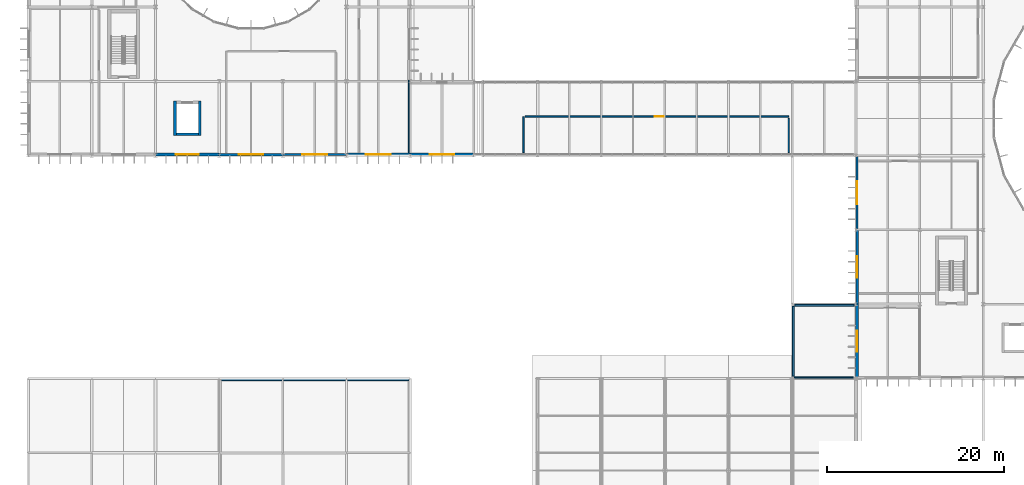
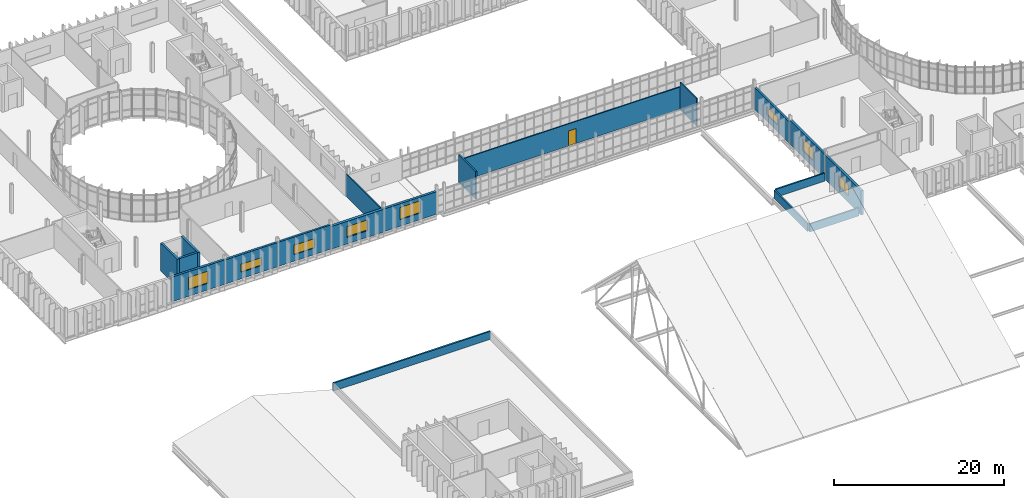
# One storey, part 77 of 99: 19 walls, 8 windows, 1 door, 9 openings.
"""IFC4 building model written with IfcOpenShell, lengths in metres."""

from ifc_helpers import new_model, si_unit, direction, frame, frame_2d, origin, place, context, subcontext, project, spatial, rectangle, extrude, material, layer, layer_set, type_object, element, fill, save


model = new_model("IFC4")

# Units and contexts
model_context = context("Model", 3, precision=1e-05, world=origin(), true_north=direction((0.0, 1.0)))
body_context = subcontext(model_context, "Body", "Model", "MODEL_VIEW")
ifc_project = project(units=[si_unit("LENGTHUNIT", "METRE"), si_unit("AREAUNIT", "SQUARE_METRE"), si_unit("VOLUMEUNIT", "CUBIC_METRE"), si_unit("PLANEANGLEUNIT", "RADIAN"), si_unit("MASSUNIT", "GRAM", prefix="KILO")], contexts=[model_context])

# Site, building, storey
site_placement = place(None, origin())
site = spatial("IfcSite", under=ifc_project, at=site_placement, CompositionType="ELEMENT")
building_placement = place(site_placement, origin())
building = spatial("IfcBuilding", under=site, at=building_placement, Name="Qelthora Terrace Specialist Clinic", CompositionType="ELEMENT")
storey_placement = place(building_placement, frame((0.0, 0.0, 9.0)))
storey = spatial("IfcBuildingStorey", under=building, at=storey_placement, Name="L02", CompositionType="ELEMENT", Elevation=9.0)

# Walls
ifc_material_1 = material(Name="Concrete C40/50", Category="concrete")
ifc_layer_1 = layer(ifc_material_1, 0.300048828125)
ifc_layer_set_1 = layer_set([ifc_layer_1], Name="Concrete C40/50")
wall_type_1 = type_object("IfcWallType", Name="WAL-CORE-300-C40", PredefinedType="SHEAR", material=ifc_layer_set_1)
for number, where, z_axis, x_axis, name in (
    (1, (16.60009765625, 61.050048828125, 0.0), (0.0, 0.0, 1.0), (0.0, 1.0, 0.0), "Lift SL-01 L02 west shaft wall"),
    (2, (19.39990234375, 61.050048828125, 0.0), (0.0, 0.0, 1.0), (0.0, 1.0, 0.0), "Lift SL-01 L02 east shaft wall"),
):
    element("IfcWall", number, at=place(storey_placement, frame(where, z_axis=z_axis, x_axis=x_axis)), inside=storey, type_object=wall_type_1, Name=name, PredefinedType="SHEAR", context=body_context, shape_type="SweptSolid", body=[
        extrude(rectangle(XDim=3.89990234375, YDim=0.300048828125, at=frame_2d((1.949951171875, 0.0))), origin(), (0.0, 0.0, 1.0), 3.989990234375),
    ])
wall_1_placement = place(storey_placement, frame((16.75, 61.199951171875, 0.0), z_axis=(0.0, 0.0, 1.0), x_axis=(1.0, 0.0, 0.0)))
element("IfcWall", 3, at=wall_1_placement, inside=storey, type_object=wall_type_1, Name="Lift SL-01 L02 south shaft wall", PredefinedType="SHEAR", context=body_context, shape_type="SweptSolid", body=[
    extrude(rectangle(XDim=2.5, YDim=0.300048828125, at=frame_2d((1.25, 0.0))), origin(), (0.0, 0.0, 1.0), 3.989990234375),
])

# Wall, opening, window
ifc_material_2 = material(Name="Precast concrete C40/50", Category="concrete")
ifc_layer_2 = layer(ifc_material_2, 0.260009765625)
ifc_layer_set_2 = layer_set([ifc_layer_2], Name="Precast concrete C40/50")
wall_type_2 = type_object("IfcWallType", Name="WAL-EXT-260-PC40", PredefinedType="SOLIDWALL", material=ifc_layer_set_2)
wall_2_placement = place(storey_placement, frame((93.719970703125, 50.39990234375, 0.0), z_axis=(0.0, 0.0, 1.0), x_axis=(0.0, 1.0, 0.0)))
wall_2 = element("IfcWall", 4, at=wall_2_placement, inside=storey, type_object=wall_type_2, Name="L02 external precast wall 269", PredefinedType="SOLIDWALL", context=body_context, shape_type="SweptSolid", body=[
    extrude(rectangle(XDim=8.400146484375, YDim=0.260009765625, at=frame_2d((4.2001953125, 0.0))), origin(), (0.0, 0.0, 1.0), 3.091064453125),
])
opening_1_placement = place(wall_2_placement, frame((2.89990234375, 0.0, 0.949951171875)))
opening_1 = element("IfcOpeningElement", 5, at=opening_1_placement, cuts=wall_2, Name="Opening WN-L02-233", PredefinedType="OPENING", context=body_context, shape_type="SweptSolid", body=[
    extrude(rectangle(XDim=2.60009765625, YDim=1.14990234375, at=frame_2d((1.300048828125, 0.574951171875))), frame((0.0, 0.139892578125, 0.0), z_axis=(0.0, -1.0, 0.0), x_axis=(1.0, 0.0, 0.0)), (0.0, 0.0, 1.0), 0.280029296875),
])
ifc_material_3 = material(Name="Low-E triple-silver insulating glass", Category="glass")
window_type_1 = type_object("IfcWindowType", Name="WIN-2600X1150", PartitioningType="DOUBLE_PANEL_VERTICAL", PredefinedType="WINDOW", material=ifc_material_3)
window_1_placement = place(opening_1_placement, origin())
window_1 = element("IfcWindow", 6, at=window_1_placement, inside=storey, type_object=window_type_1, Name="Clinical window WN-L02-233", OverallHeight=1.14990234375, OverallWidth=2.60009765625, PartitioningType="SINGLE_PANEL", PredefinedType="WINDOW", context=body_context, shape_type="SweptSolid", body=[
    extrude(rectangle(XDim=2.60009765625, YDim=1.14990234375, at=frame_2d((1.300048828125, 0.574951171875))), frame((0.0, 0.030029296875, 0.0), z_axis=(0.0, -1.0, 0.0), x_axis=(1.0, 0.0, 0.0)), (0.0, 0.0, 1.0), 0.06005859375),
])
fill(opening_1, window_1)

wall_3_placement = place(storey_placement, frame((28.800048828125, 58.919921875, 0.0), z_axis=(0.0, 0.0, 1.0), x_axis=(1.0, 0.0, 0.0)))
wall_3 = element("IfcWall", 7, at=wall_3_placement, inside=storey, type_object=wall_type_2, Name="L02 external precast wall 274", PredefinedType="SOLIDWALL", context=body_context, shape_type="SweptSolid", body=[
    extrude(rectangle(XDim=7.199951171875, YDim=0.260009765625, at=frame_2d((3.60009765625, 0.0))), origin(), (0.0, 0.0, 1.0), 3.48193359375),
])
opening_2_placement = place(wall_3_placement, frame((2.199951171875, 0.0, 0.949951171875)))
opening_2 = element("IfcOpeningElement", 8, at=opening_2_placement, cuts=wall_3, Name="Opening WN-L02-238", PredefinedType="OPENING", context=body_context, shape_type="SweptSolid", body=[
    extrude(rectangle(XDim=2.800048828125, YDim=1.35009765625, at=frame_2d((1.39990234375, 0.675048828125))), frame((0.0, 0.139892578125, 0.0), z_axis=(0.0, -1.0, 0.0), x_axis=(1.0, 0.0, 0.0)), (0.0, 0.0, 1.0), 0.280029296875),
])
window_type_2 = type_object("IfcWindowType", Name="WIN-2800X1350", PartitioningType="DOUBLE_PANEL_VERTICAL", PredefinedType="WINDOW", material=ifc_material_3)
window_2_placement = place(opening_2_placement, origin())
window_2 = element("IfcWindow", 9, at=window_2_placement, inside=storey, type_object=window_type_2, Name="Clinical window WN-L02-238", OverallHeight=1.35009765625, OverallWidth=2.800048828125, PartitioningType="SINGLE_PANEL", PredefinedType="WINDOW", context=body_context, shape_type="SweptSolid", body=[
    extrude(rectangle(XDim=2.800048828125, YDim=1.35009765625, at=frame_2d((1.39990234375, 0.675048828125))), frame((0.0, 0.030029296875, 0.0), z_axis=(0.0, -1.0, 0.0), x_axis=(1.0, 0.0, 0.0)), (0.0, 0.0, 1.0), 0.06005859375),
])
fill(opening_2, window_2)

ifc_layer_3 = layer(ifc_material_2, 0.280029296875)
ifc_layer_set_3 = layer_set([ifc_layer_3], Name="Precast concrete C40/50")
wall_type_3 = type_object("IfcWallType", Name="WAL-EXT-280-PC40", PredefinedType="SOLIDWALL", material=ifc_layer_set_3)
wall_4_placement = place(storey_placement, frame((93.719970703125, 42.0, 0.0), z_axis=(0.0, 0.0, 1.0), x_axis=(0.0, 1.0, 0.0)))
wall_4 = element("IfcWall", 10, at=wall_4_placement, inside=storey, type_object=wall_type_3, Name="L02 external precast wall 268", PredefinedType="SOLIDWALL", context=body_context, shape_type="SweptSolid", body=[
    extrude(rectangle(XDim=8.39990234375, YDim=0.280029296875, at=frame_2d((4.199951171875, 0.0))), origin(), (0.0, 0.0, 1.0), 3.48193359375),
])
opening_3_placement = place(wall_4_placement, frame((3.0, 0.0, 0.949951171875)))
opening_3 = element("IfcOpeningElement", 11, at=opening_3_placement, cuts=wall_4, Name="Opening WN-L02-232", PredefinedType="OPENING", context=body_context, shape_type="SweptSolid", body=[
    extrude(rectangle(XDim=2.39990234375, YDim=1.75, at=frame_2d((1.199951171875, 0.875))), frame((0.0, 0.14990234375, 0.0), z_axis=(0.0, -1.0, 0.0), x_axis=(1.0, 0.0, 0.0)), (0.0, 0.0, 1.0), 0.300048828125),
])
window_type_3 = type_object("IfcWindowType", Name="WIN-2400X1750", PartitioningType="DOUBLE_PANEL_VERTICAL", PredefinedType="WINDOW", material=ifc_material_3)
window_3_placement = place(opening_3_placement, origin())
window_3 = element("IfcWindow", 12, at=window_3_placement, inside=storey, type_object=window_type_3, Name="Clinical window WN-L02-232", OverallHeight=1.75, OverallWidth=2.39990234375, PartitioningType="SINGLE_PANEL", PredefinedType="WINDOW", context=body_context, shape_type="SweptSolid", body=[
    extrude(rectangle(XDim=2.39990234375, YDim=1.75, at=frame_2d((1.199951171875, 0.875))), frame((0.0, 0.030029296875, 0.0), z_axis=(0.0, -1.0, 0.0), x_axis=(1.0, 0.0, 0.0)), (0.0, 0.0, 1.0), 0.06005859375),
])
fill(opening_3, window_3)

wall_5_placement = place(storey_placement, frame((21.60009765625, 58.919921875, 0.0), z_axis=(0.0, 0.0, 1.0), x_axis=(1.0, 0.0, 0.0)))
wall_5 = element("IfcWall", 13, at=wall_5_placement, inside=storey, type_object=wall_type_3, Name="L02 external precast wall 273", PredefinedType="SOLIDWALL", context=body_context, shape_type="SweptSolid", body=[
    extrude(rectangle(XDim=7.199951171875, YDim=0.280029296875, at=frame_2d((3.60009765625, 0.0))), origin(), (0.0, 0.0, 1.0), 3.48193359375),
])
opening_4_placement = place(wall_5_placement, frame((2.199951171875, 0.0, 0.949951171875)))
opening_4 = element("IfcOpeningElement", 14, at=opening_4_placement, cuts=wall_5, Name="Opening WN-L02-237", PredefinedType="OPENING", context=body_context, shape_type="SweptSolid", body=[
    extrude(rectangle(XDim=2.800048828125, YDim=1.14990234375, at=frame_2d((1.39990234375, 0.574951171875))), frame((0.0, 0.14990234375, 0.0), z_axis=(0.0, -1.0, 0.0), x_axis=(1.0, 0.0, 0.0)), (0.0, 0.0, 1.0), 0.300048828125),
])
window_type_4 = type_object("IfcWindowType", Name="WIN-2800X1150", PartitioningType="DOUBLE_PANEL_VERTICAL", PredefinedType="WINDOW", material=ifc_material_3)
window_4_placement = place(opening_4_placement, origin())
window_4 = element("IfcWindow", 15, at=window_4_placement, inside=storey, type_object=window_type_4, Name="Clinical window WN-L02-237", OverallHeight=1.14990234375, OverallWidth=2.800048828125, PartitioningType="SINGLE_PANEL", PredefinedType="WINDOW", context=body_context, shape_type="SweptSolid", body=[
    extrude(rectangle(XDim=2.800048828125, YDim=1.14990234375, at=frame_2d((1.39990234375, 0.574951171875))), frame((0.0, 0.030029296875, 0.0), z_axis=(0.0, -1.0, 0.0), x_axis=(1.0, 0.0, 0.0)), (0.0, 0.0, 1.0), 0.06005859375),
])
fill(opening_4, window_4)

ifc_layer_4 = layer(ifc_material_2, 0.300048828125)
ifc_layer_set_4 = layer_set([ifc_layer_4], Name="Precast concrete C40/50")
wall_type_4 = type_object("IfcWallType", Name="WAL-EXT-300-PC40", PredefinedType="SOLIDWALL", material=ifc_layer_set_4)
wall_6_placement = place(storey_placement, frame((93.719970703125, 33.60009765625, 0.0), z_axis=(0.0, 0.0, 1.0), x_axis=(0.0, 1.0, 0.0)))
wall_6 = element("IfcWall", 16, at=wall_6_placement, inside=storey, type_object=wall_type_4, Name="L02 external precast wall 267", PredefinedType="SOLIDWALL", context=body_context, shape_type="SweptSolid", body=[
    extrude(rectangle(XDim=8.39990234375, YDim=0.300048828125, at=frame_2d((4.199951171875, 0.0))), origin(), (0.0, 0.0, 1.0), 3.48193359375),
])
opening_5_placement = place(wall_6_placement, frame((3.0, 0.0, 0.949951171875)))
opening_5 = element("IfcOpeningElement", 17, at=opening_5_placement, cuts=wall_6, Name="Opening WN-L02-231", PredefinedType="OPENING", context=body_context, shape_type="SweptSolid", body=[
    extrude(rectangle(XDim=2.39990234375, YDim=1.550048828125, at=frame_2d((1.199951171875, 0.77490234375))), frame((0.0, 0.159912109375, 0.0), z_axis=(0.0, -1.0, 0.0), x_axis=(1.0, 0.0, 0.0)), (0.0, 0.0, 1.0), 0.320068359375),
])
window_type_5 = type_object("IfcWindowType", Name="WIN-2400X1550", PartitioningType="DOUBLE_PANEL_VERTICAL", PredefinedType="WINDOW", material=ifc_material_3)
window_5_placement = place(opening_5_placement, origin())
window_5 = element("IfcWindow", 18, at=window_5_placement, inside=storey, type_object=window_type_5, Name="Clinical window WN-L02-231", OverallHeight=1.550048828125, OverallWidth=2.39990234375, PartitioningType="SINGLE_PANEL", PredefinedType="WINDOW", context=body_context, shape_type="SweptSolid", body=[
    extrude(rectangle(XDim=2.39990234375, YDim=1.550048828125, at=frame_2d((1.199951171875, 0.77490234375))), frame((0.0, 0.030029296875, 0.0), z_axis=(0.0, -1.0, 0.0), x_axis=(1.0, 0.0, 0.0)), (0.0, 0.0, 1.0), 0.06005859375),
])
fill(opening_5, window_5)

wall_7_placement = place(storey_placement, frame((14.39990234375, 58.919921875, 0.0), z_axis=(0.0, 0.0, 1.0), x_axis=(1.0, 0.0, 0.0)))
wall_7 = element("IfcWall", 19, at=wall_7_placement, inside=storey, type_object=wall_type_4, Name="L02 external precast wall 272", PredefinedType="SOLIDWALL", context=body_context, shape_type="SweptSolid", body=[
    extrude(rectangle(XDim=7.2001953125, YDim=0.300048828125, at=frame_2d((3.60009765625, 0.0))), origin(), (0.0, 0.0, 1.0), 3.529052734375),
])
opening_6_placement = place(wall_7_placement, frame((2.300048828125, 0.0, 0.949951171875)))
opening_6 = element("IfcOpeningElement", 20, at=opening_6_placement, cuts=wall_7, Name="Opening WN-L02-236", PredefinedType="OPENING", context=body_context, shape_type="SweptSolid", body=[
    extrude(rectangle(XDim=2.60009765625, YDim=1.75, at=frame_2d((1.300048828125, 0.875))), frame((0.0, 0.159912109375, 0.0), z_axis=(0.0, -1.0, 0.0), x_axis=(1.0, 0.0, 0.0)), (0.0, 0.0, 1.0), 0.320068359375),
])
window_type_6 = type_object("IfcWindowType", Name="WIN-2600X1750", PartitioningType="DOUBLE_PANEL_VERTICAL", PredefinedType="WINDOW", material=ifc_material_3)
window_6_placement = place(opening_6_placement, origin())
window_6 = element("IfcWindow", 21, at=window_6_placement, inside=storey, type_object=window_type_6, Name="Clinical window WN-L02-236", OverallHeight=1.75, OverallWidth=2.60009765625, PartitioningType="SINGLE_PANEL", PredefinedType="WINDOW", context=body_context, shape_type="SweptSolid", body=[
    extrude(rectangle(XDim=2.60009765625, YDim=1.75, at=frame_2d((1.300048828125, 0.875))), frame((0.0, 0.030029296875, 0.0), z_axis=(0.0, -1.0, 0.0), x_axis=(1.0, 0.0, 0.0)), (0.0, 0.0, 1.0), 0.06005859375),
])
fill(opening_6, window_6)

ifc_layer_5 = layer(ifc_material_2, 0.320068359375)
ifc_layer_set_5 = layer_set([ifc_layer_5], Name="Precast concrete C40/50")
wall_type_5 = type_object("IfcWallType", Name="WAL-EXT-320-PC40", PredefinedType="SOLIDWALL", material=ifc_layer_set_5)
wall_8_placement = place(storey_placement, frame((43.199951171875, 58.919921875, 0.0), z_axis=(0.0, 0.0, 1.0), x_axis=(1.0, 0.0, 0.0)))
wall_8 = element("IfcWall", 22, at=wall_8_placement, inside=storey, type_object=wall_type_5, Name="L02 external precast wall 276", PredefinedType="SOLIDWALL", context=body_context, shape_type="SweptSolid", body=[
    extrude(rectangle(XDim=7.199951171875, YDim=0.320068359375, at=frame_2d((3.60009765625, 0.0))), origin(), (0.0, 0.0, 1.0), 3.2490234375),
])
opening_7_placement = place(wall_8_placement, frame((2.199951171875, 0.0, 0.949951171875)))
opening_7 = element("IfcOpeningElement", 23, at=opening_7_placement, cuts=wall_8, Name="Opening WN-L02-240", PredefinedType="OPENING", context=body_context, shape_type="SweptSolid", body=[
    extrude(rectangle(XDim=2.800048828125, YDim=1.75, at=frame_2d((1.39990234375, 0.875))), frame((0.0, 0.169921875, 0.0), z_axis=(0.0, -1.0, 0.0), x_axis=(1.0, 0.0, 0.0)), (0.0, 0.0, 1.0), 0.340087890625),
])
window_type_7 = type_object("IfcWindowType", Name="WIN-2800X1750", PartitioningType="DOUBLE_PANEL_VERTICAL", PredefinedType="WINDOW", material=ifc_material_3)
window_7_placement = place(opening_7_placement, origin())
window_7 = element("IfcWindow", 24, at=window_7_placement, inside=storey, type_object=window_type_7, Name="Clinical window WN-L02-240", OverallHeight=1.75, OverallWidth=2.800048828125, PartitioningType="SINGLE_PANEL", PredefinedType="WINDOW", context=body_context, shape_type="SweptSolid", body=[
    extrude(rectangle(XDim=2.800048828125, YDim=1.75, at=frame_2d((1.39990234375, 0.875))), frame((0.0, 0.030029296875, 0.0), z_axis=(0.0, -1.0, 0.0), x_axis=(1.0, 0.0, 0.0)), (0.0, 0.0, 1.0), 0.06005859375),
])
fill(opening_7, window_7)

ifc_layer_6 = layer(ifc_material_2, 0.3798828125)
ifc_layer_set_6 = layer_set([ifc_layer_6], Name="Precast concrete C40/50")
wall_type_6 = type_object("IfcWallType", Name="WAL-EXT-380-PC40", PredefinedType="SOLIDWALL", material=ifc_layer_set_6)
wall_9_placement = place(storey_placement, frame((36.0, 58.919921875, 0.0), z_axis=(0.0, 0.0, 1.0), x_axis=(1.0, 0.0, 0.0)))
wall_9 = element("IfcWall", 25, at=wall_9_placement, inside=storey, type_object=wall_type_6, Name="L02 external precast wall 275", PredefinedType="SOLIDWALL", context=body_context, shape_type="SweptSolid", body=[
    extrude(rectangle(XDim=7.199951171875, YDim=0.3798828125, at=frame_2d((3.60009765625, 0.0))), origin(), (0.0, 0.0, 1.0), 3.2490234375),
])
opening_8_placement = place(wall_9_placement, frame((2.199951171875, 0.0, 0.949951171875)))
opening_8 = element("IfcOpeningElement", 26, at=opening_8_placement, cuts=wall_9, Name="Opening WN-L02-239", PredefinedType="OPENING", context=body_context, shape_type="SweptSolid", body=[
    extrude(rectangle(XDim=2.800048828125, YDim=1.550048828125, at=frame_2d((1.39990234375, 0.77490234375))), frame((0.0, 0.199951171875, 0.0), z_axis=(0.0, -1.0, 0.0), x_axis=(1.0, 0.0, 0.0)), (0.0, 0.0, 1.0), 0.39990234375),
])
window_type_8 = type_object("IfcWindowType", Name="WIN-2800X1550", PartitioningType="DOUBLE_PANEL_VERTICAL", PredefinedType="WINDOW", material=ifc_material_3)
window_8_placement = place(opening_8_placement, origin())
window_8 = element("IfcWindow", 27, at=window_8_placement, inside=storey, type_object=window_type_8, Name="Clinical window WN-L02-239", OverallHeight=1.550048828125, OverallWidth=2.800048828125, PartitioningType="SINGLE_PANEL", PredefinedType="WINDOW", context=body_context, shape_type="SweptSolid", body=[
    extrude(rectangle(XDim=2.800048828125, YDim=1.550048828125, at=frame_2d((1.39990234375, 0.77490234375))), frame((0.0, 0.030029296875, 0.0), z_axis=(0.0, -1.0, 0.0), x_axis=(1.0, 0.0, 0.0)), (0.0, 0.0, 1.0), 0.06005859375),
])
fill(opening_8, window_8)

# Wall
ifc_material_4 = material(Name="Gypsum fire-rated wallboard", Category="gypsum")
ifc_layer_7 = layer(ifc_material_4, 0.179931640625)
ifc_layer_set_7 = layer_set([ifc_layer_7], Name="Gypsum fire-rated wallboard")
wall_type_7 = type_object("IfcWallType", Name="WAL-INT-CLN-180", PredefinedType="PARTITIONING", material=ifc_layer_set_7)
wall_10_placement = place(storey_placement, frame((56.0, 59.139892578125, 0.0), z_axis=(0.0, 0.0, 1.0), x_axis=(0.0, 1.0, 0.0)))
element("IfcWall", 28, at=wall_10_placement, inside=storey, type_object=wall_type_7, Name="Interior clinical partition IWAL-L02-0291", PredefinedType="PARTITIONING", context=body_context, shape_type="SweptSolid", body=[
    extrude(rectangle(XDim=4.06005859375, YDim=0.179931640625, at=frame_2d((2.030029296875, 0.0))), origin(), (0.0, 0.0, 1.0), 3.945068359375),
])

# Wall, opening, door
ifc_layer_8 = layer(ifc_material_4, 0.159912109375)
ifc_layer_set_8 = layer_set([ifc_layer_8], Name="Gypsum fire-rated wallboard")
wall_type_8 = type_object("IfcWallType", Name="WAL-INT-COR-160", PredefinedType="PARTITIONING", material=ifc_layer_set_8)
wall_11_placement = place(storey_placement, frame((56.179931640625, 63.199951171875, 0.0), z_axis=(0.0, 0.0, 1.0), x_axis=(1.0, 0.0, 0.0)))
wall_11 = element("IfcWall", 29, at=wall_11_placement, inside=storey, type_object=wall_type_8, Name="Interior clinical partition IWAL-L02-0292", PredefinedType="PARTITIONING", context=body_context, shape_type="SweptSolid", body=[
    extrude(rectangle(XDim=29.820068359375, YDim=0.159912109375, at=frame_2d((14.91015625, 0.0))), origin(), (0.0, 0.0, 1.0), 3.175048828125),
])
opening_9_placement = place(wall_11_placement, frame((14.679931640625, 0.0, 0.0)))
opening_9 = element("IfcOpeningElement", 30, at=opening_9_placement, cuts=wall_11, Name="Opening DI-L02-0116", PredefinedType="OPENING", context=body_context, shape_type="SweptSolid", body=[
    extrude(rectangle(XDim=1.0, YDim=2.14990234375, at=frame_2d((0.5, 1.074951171875))), frame((0.0, 0.08984375, 0.0), z_axis=(0.0, -1.0, 0.0), x_axis=(1.0, 0.0, 0.0)), (0.0, 0.0, 1.0), 0.179931640625),
])
ifc_material_5 = material(Name="Glulam timber GL28h", Category="wood")
door_type = type_object("IfcDoorType", Name="DOR-CON-1000X2150", OperationType="NOTDEFINED", PredefinedType="DOOR", material=ifc_material_5)
door_placement = place(opening_9_placement, frame((1.0, 0.0, 0.0), z_axis=(0.0, 0.0, 1.0), x_axis=(-1.0, 0.0, 0.0)))
door = element("IfcDoor", 31, at=door_placement, inside=storey, type_object=door_type, Name="Interior clinical door DI-L02-0116", OperationType="SINGLE_SWING_LEFT", OverallHeight=2.14990234375, OverallWidth=1.0, PredefinedType="DOOR", context=body_context, shape_type="SweptSolid", body=[
    extrude(rectangle(XDim=1.0, YDim=2.14990234375, at=frame_2d((0.5, 1.074951171875))), frame((0.0, 0.02490234375, 0.0), z_axis=(0.0, -1.0, 0.0), x_axis=(1.0, 0.0, 0.0)), (0.0, 0.0, 1.0), 0.050048828125),
])
fill(opening_9, door)

# Walls
ifc_material_6 = material(Name="Gypsum acoustic wallboard", Category="gypsum")
ifc_layer_9 = layer(ifc_material_6, 0.1201171875)
ifc_layer_set_9 = layer_set([ifc_layer_9], Name="Gypsum acoustic wallboard")
wall_type_9 = type_object("IfcWallType", Name="WAL-INT-STD-120", PredefinedType="PARTITIONING", material=ifc_layer_set_9)
wall_12_placement = place(storey_placement, frame((43.050048828125, 67.340087890625, 0.0), z_axis=(0.0, 0.0, 1.0), x_axis=(0.0, -1.0, 0.0)))
element("IfcWall", 32, at=wall_12_placement, inside=storey, type_object=wall_type_9, Name="Interior clinical partition IWAL-L02-0300", PredefinedType="PARTITIONING", context=body_context, shape_type="SweptSolid", body=[
    extrude(rectangle(XDim=8.2001953125, YDim=0.1201171875, at=frame_2d((4.10009765625, 0.0))), origin(), (0.0, 0.0, 1.0), 3.257080078125),
])
ifc_material_7 = material(Name="Gypsum moisture-resistant", Category="gypsum")
ifc_layer_10 = layer(ifc_material_7, 0.14990234375)
ifc_layer_set_10 = layer_set([ifc_layer_10], Name="Gypsum moisture-resistant")
wall_type_10 = type_object("IfcWallType", Name="WAL-INT-WET-150", PredefinedType="PLUMBINGWALL", material=ifc_layer_set_10)
wall_13_placement = place(storey_placement, frame((86.0, 63.02001953125, 0.0), z_axis=(0.0, 0.0, 1.0), x_axis=(0.0, -1.0, 0.0)))
element("IfcWall", 33, at=wall_13_placement, inside=storey, type_object=wall_type_10, Name="Interior clinical partition IWAL-L02-0293", PredefinedType="PLUMBINGWALL", context=body_context, shape_type="SweptSolid", body=[
    extrude(rectangle(XDim=3.880126953125, YDim=0.14990234375, at=frame_2d((1.93994140625, 0.0))), origin(), (0.0, 0.0, 1.0), 3.945068359375),
])
ifc_layer_11 = layer(ifc_material_2, 0.18994140625)
ifc_layer_set_11 = layer_set([ifc_layer_11], Name="Precast concrete C40/50")
wall_type_11 = type_object("IfcWallType", Name="WAL-PAR-190-PC40", PredefinedType="PARAPET", material=ifc_layer_set_11)
wall_14_placement = place(storey_placement, frame((93.29052734375, 33.7099609375, 0.0), z_axis=(0.0, 0.0, 1.0), x_axis=(-1.0, 0.0, 0.0)))
element("IfcWall", 34, at=wall_14_placement, inside=storey, type_object=wall_type_11, Name="Roof perimeter parapet ROOF-V1-LNK-1-1", PredefinedType="PARAPET", context=body_context, shape_type="SweptSolid", body=[
    extrude(rectangle(XDim=6.67041015625, YDim=0.18994140625, at=frame_2d((3.335205078125, 0.0))), origin(), (0.0, 0.0, 1.0), 1.14990234375),
])
wall_15_placement = place(storey_placement, frame((86.510009765625, 33.876953125, 0.0), z_axis=(0.0, 0.0, 1.0), x_axis=(0.0, 1.0, 0.0)))
element("IfcWall", 35, at=wall_15_placement, inside=storey, type_object=wall_type_11, Name="Roof perimeter parapet ROOF-V1-LNK-1-2", PredefinedType="PARAPET", context=body_context, shape_type="SweptSolid", body=[
    extrude(rectangle(XDim=7.903076171875, YDim=0.18994140625, at=frame_2d((3.95166015625, 0.0))), origin(), (0.0, 0.0, 1.0), 1.14990234375),
])
wall_16_placement = place(storey_placement, frame((86.677001953125, 41.889892578125, 0.0), z_axis=(0.0, 0.0, 1.0), x_axis=(1.0, 0.0, 0.0)))
element("IfcWall", 36, at=wall_16_placement, inside=storey, type_object=wall_type_11, Name="Roof perimeter parapet ROOF-V1-LNK-1-3", PredefinedType="PARAPET", context=body_context, shape_type="SweptSolid", body=[
    extrude(rectangle(XDim=6.702880859375, YDim=0.18994140625, at=frame_2d((3.3515625, 0.0))), origin(), (0.0, 0.0, 1.0), 1.14990234375),
])
ifc_layer_12 = layer(ifc_material_2, 0.219970703125)
ifc_layer_set_12 = layer_set([ifc_layer_12], Name="Precast concrete C40/50")
wall_type_12 = type_object("IfcWallType", Name="WAL-PAR-220-PC40", PredefinedType="PARAPET", material=ifc_layer_set_12)
wall_17_placement = place(storey_placement, frame((43.080078125, 33.47998046875, 0.0), z_axis=(0.0, 0.0, 1.0), x_axis=(-1.0, 0.0, 0.0)))
element("IfcWall", 37, at=wall_17_placement, inside=storey, type_object=wall_type_12, Name="Healing roof garden perimeter parapet 3", PredefinedType="PARAPET", context=body_context, shape_type="SweptSolid", body=[
    extrude(rectangle(XDim=21.360107421875, YDim=0.219970703125, at=frame_2d((10.68017578125, 0.0))), origin(), (0.0, 0.0, 1.0), 1.14990234375),
])

save(model, "model.ifc")
